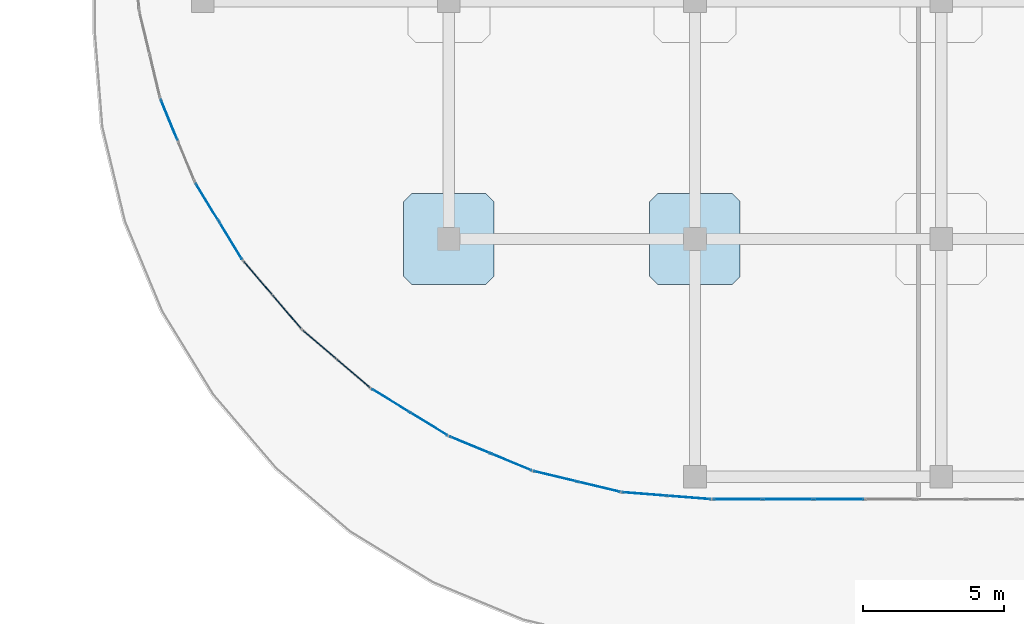
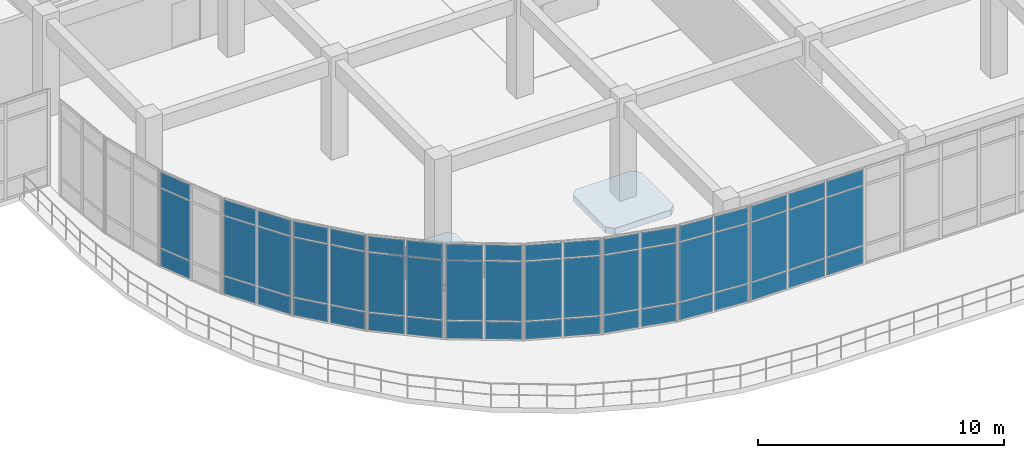
# One storey, part 67 of 96: 54 plates, 2 slabs, 9 elements without a shape of their own.
"""IFC4 building model written with IfcOpenShell, lengths in metres."""

from ifc_helpers import new_model, si_unit, derived_unit, direction, frame, origin, origin_2d, place, context, subcontext, project, spatial, polyline, rectangle, outline, extrude, material, layer, layer_set, type_object, element, aggregate, save


model = new_model("IFC4")

# Units and contexts
model_context = context("Model", 3, precision=1e-05, world=origin(), true_north=direction((0.0, 1.0)))
body_context = subcontext(model_context, "Body", "Model", "MODEL_VIEW")
ifc_project = project(units=[si_unit("LENGTHUNIT", "METRE"), si_unit("AREAUNIT", "SQUARE_METRE"), si_unit("VOLUMEUNIT", "CUBIC_METRE"), si_unit("PLANEANGLEUNIT", "RADIAN"), si_unit("MASSUNIT", "GRAM", prefix="KILO"), derived_unit("THERMALTRANSMITTANCEUNIT", [(si_unit("MASSUNIT", "GRAM", prefix="KILO"), 1), (si_unit("TIMEUNIT", "SECOND"), -3), (si_unit("THERMODYNAMICTEMPERATUREUNIT", "KELVIN"), -1)])], contexts=[model_context])

# Site, building, storey
site_placement = place(None, origin())
site = spatial("IfcSite", under=ifc_project, at=site_placement, CompositionType="ELEMENT")
building_placement = place(site_placement, origin())
building = spatial("IfcBuilding", under=site, at=building_placement, Name="Qinzheling Arcade Emporium", CompositionType="ELEMENT")
storey_placement = place(building_placement, frame((0.0, 0.0, 21.60009765625)))
storey = spatial("IfcBuildingStorey", under=building, at=storey_placement, Name="L05", CompositionType="ELEMENT", Elevation=21.60009765625)

# Slabs
ifc_material_1 = material(Name="Concrete C40", Category="concrete")
ifc_layer_1 = layer(ifc_material_1, 0.300048828125, Name="Concrete C40", Category="concrete")
ifc_layer_set_1 = layer_set([ifc_layer_1], Name="Concrete C40")
slab_type = type_object("IfcSlabType", Name="Column Head Drop Panel 3200x3200x300 C40", PredefinedType="USERDEFINED", material=ifc_layer_set_1)
slab_1_placement = place(storey_placement, frame((0.0, 0.0, -0.580078125)))
element("IfcSlab", 1, at=slab_1_placement, inside=storey, type_object=slab_type, Name="Column Drop Panel DP-L05-3-C", ObjectType="DROP_PANEL", PredefinedType="USERDEFINED", context=body_context, shape_type="SweptSolid", body=[
    extrude(outline(polyline([(16.080078125, 15.199951171875), (18.719970703125, 15.199951171875), (19.0, 15.47998046875), (19.0, 18.1201171875), (18.719970703125, 18.39990234375), (16.080078125, 18.39990234375), (15.800048828125, 18.1201171875), (15.800048828125, 15.47998046875), (16.080078125, 15.199951171875)])), origin(), (0.0, 0.0, 1.0), 0.300048828125),
])
slab_2_placement = place(storey_placement, frame((0.0, 0.0, -0.580078125)))
element("IfcSlab", 2, at=slab_2_placement, inside=storey, type_object=slab_type, Name="Column Drop Panel DP-L05-4-C", ObjectType="DROP_PANEL", PredefinedType="USERDEFINED", context=body_context, shape_type="SweptSolid", body=[
    extrude(outline(polyline([(24.780029296875, 15.199951171875), (27.419921875, 15.199951171875), (27.699951171875, 15.47998046875), (27.699951171875, 18.1201171875), (27.419921875, 18.39990234375), (24.780029296875, 18.39990234375), (24.5, 18.1201171875), (24.5, 15.47998046875), (24.780029296875, 15.199951171875)])), origin(), (0.0, 0.0, 1.0), 0.300048828125),
])

# Curtain wall, plates
ifc_material_2 = material(Name="Anodised aluminium and solar-control double glazing", Category="aluminium")
ifc_layer_2 = layer(ifc_material_2, 0.159912109375, Name="Anodised aluminium and solar-control double glazing", Category="aluminium")
ifc_layer_set_2 = layer_set([ifc_layer_2], Name="Anodised aluminium and solar-control double glazing")
curtain_wall_type_1 = type_object("IfcCurtainWallType", Name="Arcade Portal Glazed Curtain Wall", PredefinedType="NOTDEFINED", material=ifc_layer_set_2)
curtain_wall_1_placement = place(storey_placement, origin())
curtain_wall_1 = element("IfcCurtainWall", 3, at=curtain_wall_1_placement, inside=storey, type_object=curtain_wall_type_1, Name="Curtain Wall CW-L05-301", PredefinedType="NOTDEFINED")
ifc_material_3 = material(Name="Laminated solar-control double glazing", Category="glass")
ifc_layer_3 = layer(ifc_material_3, 0.02197265625, Name="Laminated solar-control double glazing", Category="glass")
ifc_layer_set_3 = layer_set([ifc_layer_3], Name="Laminated solar-control double glazing")
plate_type_1 = type_object("IfcPlateType", Name="Low-E Double Glazed Curtain Panel 22mm", PredefinedType="CURTAIN_PANEL", material=ifc_layer_set_3)
plate_1_placement = place(storey_placement, frame((31.186279296875, 7.60009765625, 0.06005859375), z_axis=(0.0, 0.0, 1.0), x_axis=(-1.0, 0.0, 0.0)))
plate_1 = element("IfcPlate", 4, at=plate_1_placement, type_object=plate_type_1, Name="CW05 panel 2.1", PredefinedType="CURTAIN_PANEL", context=body_context, shape_type="SweptSolid", body=[
    extrude(rectangle(XDim=1.734619140625, YDim=0.02197265625, at=origin_2d()), origin(), (0.0, 0.0, 1.0), 0.860107421875),
])
plate_2_placement = place(storey_placement, frame((31.186279296875, 7.60009765625, 0.97998046875), z_axis=(0.0, 0.0, 1.0), x_axis=(-1.0, 0.0, 0.0)))
plate_2 = element("IfcPlate", 5, at=plate_2_placement, type_object=plate_type_1, Name="CW05 panel 2.2", PredefinedType="CURTAIN_PANEL", context=body_context, shape_type="SweptSolid", body=[
    extrude(rectangle(XDim=1.734619140625, YDim=0.02197265625, at=origin_2d()), origin(), (0.0, 0.0, 1.0), 2.929931640625),
])
plate_3_placement = place(storey_placement, frame((31.186279296875, 7.60009765625, 3.9697265625), z_axis=(0.0, 0.0, 1.0), x_axis=(-1.0, 0.0, 0.0)))
plate_3 = element("IfcPlate", 6, at=plate_3_placement, type_object=plate_type_1, Name="CW05 panel 2.3", PredefinedType="CURTAIN_PANEL", context=body_context, shape_type="SweptSolid", body=[
    extrude(rectangle(XDim=1.734619140625, YDim=0.02197265625, at=origin_2d()), origin(), (0.0, 0.0, 1.0), 0.760009765625),
])
plate_4_placement = place(storey_placement, frame((29.391845703125, 7.60009765625, 0.06005859375), z_axis=(0.0, 0.0, 1.0), x_axis=(-1.0, 0.0, 0.0)))
plate_4 = element("IfcPlate", 7, at=plate_4_placement, type_object=plate_type_1, Name="CW05 panel 3.1", PredefinedType="CURTAIN_PANEL", context=body_context, shape_type="SweptSolid", body=[
    extrude(rectangle(XDim=1.734619140625, YDim=0.02197265625, at=origin_2d()), origin(), (0.0, 0.0, 1.0), 0.860107421875),
])
plate_5_placement = place(storey_placement, frame((29.391845703125, 7.60009765625, 0.97998046875), z_axis=(0.0, 0.0, 1.0), x_axis=(-1.0, 0.0, 0.0)))
plate_5 = element("IfcPlate", 8, at=plate_5_placement, type_object=plate_type_1, Name="CW05 panel 3.2", PredefinedType="CURTAIN_PANEL", context=body_context, shape_type="SweptSolid", body=[
    extrude(rectangle(XDim=1.734619140625, YDim=0.02197265625, at=origin_2d()), origin(), (0.0, 0.0, 1.0), 2.929931640625),
])
plate_6_placement = place(storey_placement, frame((29.391845703125, 7.60009765625, 3.9697265625), z_axis=(0.0, 0.0, 1.0), x_axis=(-1.0, 0.0, 0.0)))
plate_6 = element("IfcPlate", 9, at=plate_6_placement, type_object=plate_type_1, Name="CW05 panel 3.3", PredefinedType="CURTAIN_PANEL", context=body_context, shape_type="SweptSolid", body=[
    extrude(rectangle(XDim=1.734619140625, YDim=0.02197265625, at=origin_2d()), origin(), (0.0, 0.0, 1.0), 0.760009765625),
])
plate_7_placement = place(storey_placement, frame((27.6123046875, 7.60009765625, 0.06005859375), z_axis=(0.0, 0.0, 1.0), x_axis=(-1.0, 0.0, 0.0)))
plate_7 = element("IfcPlate", 10, at=plate_7_placement, type_object=plate_type_1, Name="CW05 panel 4.1", PredefinedType="CURTAIN_PANEL", context=body_context, shape_type="SweptSolid", body=[
    extrude(rectangle(XDim=1.70458984375, YDim=0.02197265625, at=origin_2d()), origin(), (0.0, 0.0, 1.0), 0.860107421875),
])
plate_8_placement = place(storey_placement, frame((27.6123046875, 7.60009765625, 0.97998046875), z_axis=(0.0, 0.0, 1.0), x_axis=(-1.0, 0.0, 0.0)))
plate_8 = element("IfcPlate", 11, at=plate_8_placement, type_object=plate_type_1, Name="CW05 panel 4.2", PredefinedType="CURTAIN_PANEL", context=body_context, shape_type="SweptSolid", body=[
    extrude(rectangle(XDim=1.70458984375, YDim=0.02197265625, at=origin_2d()), origin(), (0.0, 0.0, 1.0), 2.929931640625),
])
plate_9_placement = place(storey_placement, frame((27.6123046875, 7.60009765625, 3.9697265625), z_axis=(0.0, 0.0, 1.0), x_axis=(-1.0, 0.0, 0.0)))
plate_9 = element("IfcPlate", 12, at=plate_9_placement, type_object=plate_type_1, Name="CW05 panel 4.3", PredefinedType="CURTAIN_PANEL", context=body_context, shape_type="SweptSolid", body=[
    extrude(rectangle(XDim=1.70458984375, YDim=0.02197265625, at=origin_2d()), origin(), (0.0, 0.0, 1.0), 0.760009765625),
])
aggregate(curtain_wall_1, [plate_1, plate_2, plate_3, plate_4, plate_5, plate_6, plate_7, plate_8, plate_9])

ifc_layer_4 = layer(ifc_material_2, 0.159912109375, Name="Anodised aluminium and solar-control double glazing", Category="aluminium")
ifc_layer_set_4 = layer_set([ifc_layer_4], Name="Anodised aluminium and solar-control double glazing")
curtain_wall_type_2 = type_object("IfcCurtainWallType", Name="Curved Ribbon Sales Curtain Wall", PredefinedType="NOTDEFINED", material=ifc_layer_set_4)
curtain_wall_2_placement = place(storey_placement, origin())
curtain_wall_2 = element("IfcCurtainWall", 13, at=curtain_wall_2_placement, inside=storey, type_object=curtain_wall_type_2, Name="Curtain Wall CW-L05-302", PredefinedType="NOTDEFINED")
ifc_layer_5 = layer(ifc_material_3, 0.02392578125, Name="Laminated solar-control double glazing", Category="glass")
ifc_layer_set_5 = layer_set([ifc_layer_5], Name="Laminated solar-control double glazing")
plate_type_2 = type_object("IfcPlateType", Name="Low-E Double Glazed Curtain Panel 24mm", PredefinedType="CURTAIN_PANEL", material=ifc_layer_set_5)
plate_10_placement = place(storey_placement, frame((25.88330078125, 7.6640625, 0.06005859375), z_axis=(0.0, 0.0, 1.0), x_axis=(-0.996926963876, 0.078336637005, 0.0)))
plate_10 = element("IfcPlate", 14, at=plate_10_placement, type_object=plate_type_2, Name="CW02 panel 1.1", PredefinedType="CURTAIN_PANEL", context=body_context, shape_type="SweptSolid", body=[
    extrude(rectangle(XDim=1.5185546875, YDim=0.02392578125, at=origin_2d()), origin(), (0.0, 0.0, 1.0), 0.860107421875),
])
plate_11_placement = place(storey_placement, frame((25.88330078125, 7.6640625, 0.97998046875), z_axis=(0.0, 0.0, 1.0), x_axis=(-0.996926963876, 0.078336637005, 0.0)))
plate_11 = element("IfcPlate", 15, at=plate_11_placement, type_object=plate_type_2, Name="CW02 panel 1.2", PredefinedType="CURTAIN_PANEL", context=body_context, shape_type="SweptSolid", body=[
    extrude(rectangle(XDim=1.5185546875, YDim=0.02392578125, at=origin_2d()), origin(), (0.0, 0.0, 1.0), 2.929931640625),
])
plate_12_placement = place(storey_placement, frame((25.88330078125, 7.6640625, 3.9697265625), z_axis=(0.0, 0.0, 1.0), x_axis=(-0.996926963876, 0.078336637005, 0.0)))
plate_12 = element("IfcPlate", 16, at=plate_12_placement, type_object=plate_type_2, Name="CW02 panel 1.3", PredefinedType="CURTAIN_PANEL", context=body_context, shape_type="SweptSolid", body=[
    extrude(rectangle(XDim=1.5185546875, YDim=0.02392578125, at=origin_2d()), origin(), (0.0, 0.0, 1.0), 0.760009765625),
])
plate_13_placement = place(storey_placement, frame((24.309814453125, 7.787841796875, 0.06005859375), z_axis=(0.0, 0.0, 1.0), x_axis=(-0.996926963876, 0.078336637005, 0.0)))
plate_13 = element("IfcPlate", 17, at=plate_13_placement, type_object=plate_type_2, Name="CW02 panel 2.1", PredefinedType="CURTAIN_PANEL", context=body_context, shape_type="SweptSolid", body=[
    extrude(rectangle(XDim=1.5185546875, YDim=0.02392578125, at=origin_2d()), origin(), (0.0, 0.0, 1.0), 0.860107421875),
])
plate_14_placement = place(storey_placement, frame((24.309814453125, 7.787841796875, 0.97998046875), z_axis=(0.0, 0.0, 1.0), x_axis=(-0.996926963876, 0.078336637005, 0.0)))
plate_14 = element("IfcPlate", 18, at=plate_14_placement, type_object=plate_type_2, Name="CW02 panel 2.2", PredefinedType="CURTAIN_PANEL", context=body_context, shape_type="SweptSolid", body=[
    extrude(rectangle(XDim=1.5185546875, YDim=0.02392578125, at=origin_2d()), origin(), (0.0, 0.0, 1.0), 2.929931640625),
])
plate_15_placement = place(storey_placement, frame((24.309814453125, 7.787841796875, 3.9697265625), z_axis=(0.0, 0.0, 1.0), x_axis=(-0.996926963876, 0.078336637005, 0.0)))
plate_15 = element("IfcPlate", 19, at=plate_15_placement, type_object=plate_type_2, Name="CW02 panel 2.3", PredefinedType="CURTAIN_PANEL", context=body_context, shape_type="SweptSolid", body=[
    extrude(rectangle(XDim=1.5185546875, YDim=0.02392578125, at=origin_2d()), origin(), (0.0, 0.0, 1.0), 0.760009765625),
])
aggregate(curtain_wall_2, [plate_10, plate_11, plate_12, plate_13, plate_14, plate_15])

curtain_wall_3_placement = place(storey_placement, origin())
curtain_wall_3 = element("IfcCurtainWall", 20, at=curtain_wall_3_placement, inside=storey, type_object=curtain_wall_type_2, Name="Curtain Wall CW-L05-303", PredefinedType="NOTDEFINED")
ifc_layer_6 = layer(ifc_material_3, 0.02490234375, Name="Laminated solar-control double glazing", Category="glass")
ifc_layer_set_6 = layer_set([ifc_layer_6], Name="Laminated solar-control double glazing")
plate_type_3 = type_object("IfcPlateType", Name="Low-E Double Glazed Curtain Panel 25mm", PredefinedType="CURTAIN_PANEL", material=ifc_layer_set_6)
plate_16_placement = place(storey_placement, frame((22.696533203125, 8.043212890625, 0.06005859375), z_axis=(0.0, 0.0, 1.0), x_axis=(-0.972367546477, 0.233455251725, 0.0)))
plate_16 = element("IfcPlate", 21, at=plate_16_placement, type_object=plate_type_3, Name="CW02 panel 1.1", PredefinedType="CURTAIN_PANEL", context=body_context, shape_type="SweptSolid", body=[
    extrude(rectangle(XDim=1.5185546875, YDim=0.02490234375, at=origin_2d()), origin(), (0.0, 0.0, 1.0), 0.860107421875),
])
plate_17_placement = place(storey_placement, frame((22.696533203125, 8.043212890625, 0.97998046875), z_axis=(0.0, 0.0, 1.0), x_axis=(-0.972367546477, 0.233455251725, 0.0)))
plate_17 = element("IfcPlate", 22, at=plate_17_placement, type_object=plate_type_3, Name="CW02 panel 1.2", PredefinedType="CURTAIN_PANEL", context=body_context, shape_type="SweptSolid", body=[
    extrude(rectangle(XDim=1.5185546875, YDim=0.02490234375, at=origin_2d()), origin(), (0.0, 0.0, 1.0), 2.929931640625),
])
plate_18_placement = place(storey_placement, frame((22.696533203125, 8.043212890625, 3.9697265625), z_axis=(0.0, 0.0, 1.0), x_axis=(-0.972367546477, 0.233455251725, 0.0)))
plate_18 = element("IfcPlate", 23, at=plate_18_placement, type_object=plate_type_3, Name="CW02 panel 1.3", PredefinedType="CURTAIN_PANEL", context=body_context, shape_type="SweptSolid", body=[
    extrude(rectangle(XDim=1.5185546875, YDim=0.02490234375, at=origin_2d()), origin(), (0.0, 0.0, 1.0), 0.760009765625),
])
plate_19_placement = place(storey_placement, frame((21.16162109375, 8.411865234375, 0.06005859375), z_axis=(0.0, 0.0, 1.0), x_axis=(-0.972367546477, 0.233455251725, 0.0)))
plate_19 = element("IfcPlate", 24, at=plate_19_placement, type_object=plate_type_3, Name="CW02 panel 2.1", PredefinedType="CURTAIN_PANEL", context=body_context, shape_type="SweptSolid", body=[
    extrude(rectangle(XDim=1.5185546875, YDim=0.02490234375, at=origin_2d()), origin(), (0.0, 0.0, 1.0), 0.860107421875),
])
plate_20_placement = place(storey_placement, frame((21.16162109375, 8.411865234375, 0.97998046875), z_axis=(0.0, 0.0, 1.0), x_axis=(-0.972367546477, 0.233455251725, 0.0)))
plate_20 = element("IfcPlate", 25, at=plate_20_placement, type_object=plate_type_3, Name="CW02 panel 2.2", PredefinedType="CURTAIN_PANEL", context=body_context, shape_type="SweptSolid", body=[
    extrude(rectangle(XDim=1.5185546875, YDim=0.02490234375, at=origin_2d()), origin(), (0.0, 0.0, 1.0), 2.929931640625),
])
plate_21_placement = place(storey_placement, frame((21.16162109375, 8.411865234375, 3.9697265625), z_axis=(0.0, 0.0, 1.0), x_axis=(-0.972367546477, 0.233455251725, 0.0)))
plate_21 = element("IfcPlate", 26, at=plate_21_placement, type_object=plate_type_3, Name="CW02 panel 2.3", PredefinedType="CURTAIN_PANEL", context=body_context, shape_type="SweptSolid", body=[
    extrude(rectangle(XDim=1.5185546875, YDim=0.02490234375, at=origin_2d()), origin(), (0.0, 0.0, 1.0), 0.760009765625),
])
aggregate(curtain_wall_3, [plate_16, plate_17, plate_18, plate_19, plate_20, plate_21])

curtain_wall_4_placement = place(storey_placement, origin())
curtain_wall_4 = element("IfcCurtainWall", 27, at=curtain_wall_4_placement, inside=storey, type_object=curtain_wall_type_2, Name="Curtain Wall CW-L05-304", PredefinedType="NOTDEFINED")
ifc_layer_7 = layer(ifc_material_3, 0.02587890625, Name="Laminated solar-control double glazing", Category="glass")
ifc_layer_set_7 = layer_set([ifc_layer_7], Name="Laminated solar-control double glazing")
plate_type_4 = type_object("IfcPlateType", Name="Low-E Double Glazed Curtain Panel 26mm", PredefinedType="CURTAIN_PANEL", material=ifc_layer_set_7)
plate_22_placement = place(storey_placement, frame((19.608154296875, 8.91650390625, 0.06005859375), z_axis=(0.0, 0.0, 1.0), x_axis=(-0.923884226263, 0.38267210045, 0.0)))
plate_22 = element("IfcPlate", 28, at=plate_22_placement, type_object=plate_type_4, Name="CW02 panel 1.1", PredefinedType="CURTAIN_PANEL", context=body_context, shape_type="SweptSolid", body=[
    extrude(rectangle(XDim=1.518310546875, YDim=0.02587890625, at=origin_2d()), origin(), (0.0, 0.0, 1.0), 0.860107421875),
])
plate_23_placement = place(storey_placement, frame((19.608154296875, 8.91650390625, 0.97998046875), z_axis=(0.0, 0.0, 1.0), x_axis=(-0.923884226263, 0.38267210045, 0.0)))
plate_23 = element("IfcPlate", 29, at=plate_23_placement, type_object=plate_type_4, Name="CW02 panel 1.2", PredefinedType="CURTAIN_PANEL", context=body_context, shape_type="SweptSolid", body=[
    extrude(rectangle(XDim=1.518310546875, YDim=0.02587890625, at=origin_2d()), origin(), (0.0, 0.0, 1.0), 2.929931640625),
])
plate_24_placement = place(storey_placement, frame((19.608154296875, 8.91650390625, 3.9697265625), z_axis=(0.0, 0.0, 1.0), x_axis=(-0.923884226263, 0.38267210045, 0.0)))
plate_24 = element("IfcPlate", 30, at=plate_24_placement, type_object=plate_type_4, Name="CW02 panel 1.3", PredefinedType="CURTAIN_PANEL", context=body_context, shape_type="SweptSolid", body=[
    extrude(rectangle(XDim=1.518310546875, YDim=0.02587890625, at=origin_2d()), origin(), (0.0, 0.0, 1.0), 0.760009765625),
])
plate_25_placement = place(storey_placement, frame((18.14990234375, 9.5205078125, 0.06005859375), z_axis=(0.0, 0.0, 1.0), x_axis=(-0.923884226263, 0.38267210045, 0.0)))
plate_25 = element("IfcPlate", 31, at=plate_25_placement, type_object=plate_type_4, Name="CW02 panel 2.1", PredefinedType="CURTAIN_PANEL", context=body_context, shape_type="SweptSolid", body=[
    extrude(rectangle(XDim=1.518310546875, YDim=0.02587890625, at=origin_2d()), origin(), (0.0, 0.0, 1.0), 0.860107421875),
])
plate_26_placement = place(storey_placement, frame((18.14990234375, 9.5205078125, 0.97998046875), z_axis=(0.0, 0.0, 1.0), x_axis=(-0.923884226263, 0.38267210045, 0.0)))
plate_26 = element("IfcPlate", 32, at=plate_26_placement, type_object=plate_type_4, Name="CW02 panel 2.2", PredefinedType="CURTAIN_PANEL", context=body_context, shape_type="SweptSolid", body=[
    extrude(rectangle(XDim=1.518310546875, YDim=0.02587890625, at=origin_2d()), origin(), (0.0, 0.0, 1.0), 2.929931640625),
])
plate_27_placement = place(storey_placement, frame((18.14990234375, 9.5205078125, 3.9697265625), z_axis=(0.0, 0.0, 1.0), x_axis=(-0.923884226263, 0.38267210045, 0.0)))
plate_27 = element("IfcPlate", 33, at=plate_27_placement, type_object=plate_type_4, Name="CW02 panel 2.3", PredefinedType="CURTAIN_PANEL", context=body_context, shape_type="SweptSolid", body=[
    extrude(rectangle(XDim=1.518310546875, YDim=0.02587890625, at=origin_2d()), origin(), (0.0, 0.0, 1.0), 0.760009765625),
])
aggregate(curtain_wall_4, [plate_22, plate_23, plate_24, plate_25, plate_26, plate_27])

curtain_wall_5_placement = place(storey_placement, origin())
curtain_wall_5 = element("IfcCurtainWall", 34, at=curtain_wall_5_placement, inside=storey, type_object=curtain_wall_type_2, Name="Curtain Wall CW-L05-305", PredefinedType="NOTDEFINED")
ifc_layer_8 = layer(ifc_material_3, 0.027099609375, Name="Laminated solar-control double glazing", Category="glass")
ifc_layer_set_8 = layer_set([ifc_layer_8], Name="Laminated solar-control double glazing")
plate_type_5 = type_object("IfcPlateType", Name="Low-E Double Glazed Curtain Panel 27mm", PredefinedType="CURTAIN_PANEL", material=ifc_layer_set_8)
plate_28_placement = place(storey_placement, frame((16.694580078125, 10.26220703125, 0.06005859375), z_axis=(0.0, 0.0, 1.0), x_axis=(-0.852628055756, 0.522518323638, 0.0)))
plate_28 = element("IfcPlate", 35, at=plate_28_placement, type_object=plate_type_5, Name="CW02 panel 1.1", PredefinedType="CURTAIN_PANEL", context=body_context, shape_type="SweptSolid", body=[
    extrude(rectangle(XDim=1.5185546875, YDim=0.027099609375, at=origin_2d()), origin(), (0.0, 0.0, 1.0), 0.860107421875),
])
plate_29_placement = place(storey_placement, frame((16.694580078125, 10.26220703125, 0.97998046875), z_axis=(0.0, 0.0, 1.0), x_axis=(-0.852628055756, 0.522518323638, 0.0)))
plate_29 = element("IfcPlate", 36, at=plate_29_placement, type_object=plate_type_5, Name="CW02 panel 1.2", PredefinedType="CURTAIN_PANEL", context=body_context, shape_type="SweptSolid", body=[
    extrude(rectangle(XDim=1.5185546875, YDim=0.027099609375, at=origin_2d()), origin(), (0.0, 0.0, 1.0), 2.929931640625),
])
plate_30_placement = place(storey_placement, frame((16.694580078125, 10.26220703125, 3.9697265625), z_axis=(0.0, 0.0, 1.0), x_axis=(-0.852628055756, 0.522518323638, 0.0)))
plate_30 = element("IfcPlate", 37, at=plate_30_placement, type_object=plate_type_5, Name="CW02 panel 1.3", PredefinedType="CURTAIN_PANEL", context=body_context, shape_type="SweptSolid", body=[
    extrude(rectangle(XDim=1.5185546875, YDim=0.027099609375, at=origin_2d()), origin(), (0.0, 0.0, 1.0), 0.760009765625),
])
plate_31_placement = place(storey_placement, frame((15.3486328125, 11.0869140625, 0.06005859375), z_axis=(0.0, 0.0, 1.0), x_axis=(-0.852628055756, 0.522518323638, 0.0)))
plate_31 = element("IfcPlate", 38, at=plate_31_placement, type_object=plate_type_5, Name="CW02 panel 2.1", PredefinedType="CURTAIN_PANEL", context=body_context, shape_type="SweptSolid", body=[
    extrude(rectangle(XDim=1.5185546875, YDim=0.027099609375, at=origin_2d()), origin(), (0.0, 0.0, 1.0), 0.860107421875),
])
plate_32_placement = place(storey_placement, frame((15.3486328125, 11.0869140625, 0.97998046875), z_axis=(0.0, 0.0, 1.0), x_axis=(-0.852628055756, 0.522518323638, 0.0)))
plate_32 = element("IfcPlate", 39, at=plate_32_placement, type_object=plate_type_5, Name="CW02 panel 2.2", PredefinedType="CURTAIN_PANEL", context=body_context, shape_type="SweptSolid", body=[
    extrude(rectangle(XDim=1.5185546875, YDim=0.027099609375, at=origin_2d()), origin(), (0.0, 0.0, 1.0), 2.929931640625),
])
plate_33_placement = place(storey_placement, frame((15.3486328125, 11.0869140625, 3.9697265625), z_axis=(0.0, 0.0, 1.0), x_axis=(-0.852628055756, 0.522518323638, 0.0)))
plate_33 = element("IfcPlate", 40, at=plate_33_placement, type_object=plate_type_5, Name="CW02 panel 2.3", PredefinedType="CURTAIN_PANEL", context=body_context, shape_type="SweptSolid", body=[
    extrude(rectangle(XDim=1.5185546875, YDim=0.027099609375, at=origin_2d()), origin(), (0.0, 0.0, 1.0), 0.760009765625),
])
aggregate(curtain_wall_5, [plate_28, plate_29, plate_30, plate_31, plate_32, plate_33])

curtain_wall_6_placement = place(storey_placement, origin())
curtain_wall_6 = element("IfcCurtainWall", 41, at=curtain_wall_6_placement, inside=storey, type_object=curtain_wall_type_2, Name="Curtain Wall CW-L05-306", PredefinedType="NOTDEFINED")
ifc_layer_9 = layer(ifc_material_3, 0.028076171875, Name="Laminated solar-control double glazing", Category="glass")
ifc_layer_set_9 = layer_set([ifc_layer_9], Name="Laminated solar-control double glazing")
plate_type_6 = type_object("IfcPlateType", Name="Low-E Double Glazed Curtain Panel 28mm", PredefinedType="CURTAIN_PANEL", material=ifc_layer_set_9)
plate_34_placement = place(storey_placement, frame((14.027099609375, 12.046875, 0.06005859375), z_axis=(0.0, 0.0, 1.0), x_axis=(-0.760418455945, 0.64943342373, 0.0)))
plate_34 = element("IfcPlate", 42, at=plate_34_placement, type_object=plate_type_6, Name="CW02 panel 1.1", PredefinedType="CURTAIN_PANEL", context=body_context, shape_type="SweptSolid", body=[
    extrude(rectangle(XDim=1.518310546875, YDim=0.028076171875, at=origin_2d()), origin(), (0.0, 0.0, 1.0), 0.860107421875),
])
plate_35_placement = place(storey_placement, frame((14.027099609375, 12.046875, 0.97998046875), z_axis=(0.0, 0.0, 1.0), x_axis=(-0.760418455945, 0.64943342373, 0.0)))
plate_35 = element("IfcPlate", 43, at=plate_35_placement, type_object=plate_type_6, Name="CW02 panel 1.2", PredefinedType="CURTAIN_PANEL", context=body_context, shape_type="SweptSolid", body=[
    extrude(rectangle(XDim=1.518310546875, YDim=0.028076171875, at=origin_2d()), origin(), (0.0, 0.0, 1.0), 2.929931640625),
])
plate_36_placement = place(storey_placement, frame((14.027099609375, 12.046875, 3.9697265625), z_axis=(0.0, 0.0, 1.0), x_axis=(-0.760418455945, 0.64943342373, 0.0)))
plate_36 = element("IfcPlate", 44, at=plate_36_placement, type_object=plate_type_6, Name="CW02 panel 1.3", PredefinedType="CURTAIN_PANEL", context=body_context, shape_type="SweptSolid", body=[
    extrude(rectangle(XDim=1.518310546875, YDim=0.028076171875, at=origin_2d()), origin(), (0.0, 0.0, 1.0), 0.760009765625),
])
plate_37_placement = place(storey_placement, frame((12.826904296875, 13.072021484375, 0.06005859375), z_axis=(0.0, 0.0, 1.0), x_axis=(-0.760418455945, 0.64943342373, 0.0)))
plate_37 = element("IfcPlate", 45, at=plate_37_placement, type_object=plate_type_6, Name="CW02 panel 2.1", PredefinedType="CURTAIN_PANEL", context=body_context, shape_type="SweptSolid", body=[
    extrude(rectangle(XDim=1.518310546875, YDim=0.028076171875, at=origin_2d()), origin(), (0.0, 0.0, 1.0), 0.860107421875),
])
plate_38_placement = place(storey_placement, frame((12.826904296875, 13.072021484375, 0.97998046875), z_axis=(0.0, 0.0, 1.0), x_axis=(-0.760418455945, 0.64943342373, 0.0)))
plate_38 = element("IfcPlate", 46, at=plate_38_placement, type_object=plate_type_6, Name="CW02 panel 2.2", PredefinedType="CURTAIN_PANEL", context=body_context, shape_type="SweptSolid", body=[
    extrude(rectangle(XDim=1.518310546875, YDim=0.028076171875, at=origin_2d()), origin(), (0.0, 0.0, 1.0), 2.929931640625),
])
plate_39_placement = place(storey_placement, frame((12.826904296875, 13.072021484375, 3.9697265625), z_axis=(0.0, 0.0, 1.0), x_axis=(-0.760418455945, 0.64943342373, 0.0)))
plate_39 = element("IfcPlate", 47, at=plate_39_placement, type_object=plate_type_6, Name="CW02 panel 2.3", PredefinedType="CURTAIN_PANEL", context=body_context, shape_type="SweptSolid", body=[
    extrude(rectangle(XDim=1.518310546875, YDim=0.028076171875, at=origin_2d()), origin(), (0.0, 0.0, 1.0), 0.760009765625),
])
aggregate(curtain_wall_6, [plate_34, plate_35, plate_36, plate_37, plate_38, plate_39])

curtain_wall_7_placement = place(storey_placement, origin())
curtain_wall_7 = element("IfcCurtainWall", 48, at=curtain_wall_7_placement, inside=storey, type_object=curtain_wall_type_2, Name="Curtain Wall CW-L05-307", PredefinedType="NOTDEFINED")
ifc_layer_10 = layer(ifc_material_3, 0.029052734375, Name="Laminated solar-control double glazing", Category="glass")
ifc_layer_set_10 = layer_set([ifc_layer_10], Name="Laminated solar-control double glazing")
plate_type_7 = type_object("IfcPlateType", Name="Low-E Double Glazed Curtain Panel 29mm", PredefinedType="CURTAIN_PANEL", material=ifc_layer_set_10)
plate_40_placement = place(storey_placement, frame((11.672119140625, 14.226806640625, 0.06005859375), z_axis=(0.0, 0.0, 1.0), x_axis=(-0.64943342373, 0.760418455945, 0.0)))
plate_40 = element("IfcPlate", 49, at=plate_40_placement, type_object=plate_type_7, Name="CW02 panel 1.1", PredefinedType="CURTAIN_PANEL", context=body_context, shape_type="SweptSolid", body=[
    extrude(rectangle(XDim=1.518310546875, YDim=0.029052734375, at=origin_2d()), origin(), (0.0, 0.0, 1.0), 0.860107421875),
])
plate_41_placement = place(storey_placement, frame((11.672119140625, 14.226806640625, 0.97998046875), z_axis=(0.0, 0.0, 1.0), x_axis=(-0.64943342373, 0.760418455945, 0.0)))
plate_41 = element("IfcPlate", 50, at=plate_41_placement, type_object=plate_type_7, Name="CW02 panel 1.2", PredefinedType="CURTAIN_PANEL", context=body_context, shape_type="SweptSolid", body=[
    extrude(rectangle(XDim=1.518310546875, YDim=0.029052734375, at=origin_2d()), origin(), (0.0, 0.0, 1.0), 2.929931640625),
])
plate_42_placement = place(storey_placement, frame((11.672119140625, 14.226806640625, 3.9697265625), z_axis=(0.0, 0.0, 1.0), x_axis=(-0.64943342373, 0.760418455945, 0.0)))
plate_42 = element("IfcPlate", 51, at=plate_42_placement, type_object=plate_type_7, Name="CW02 panel 1.3", PredefinedType="CURTAIN_PANEL", context=body_context, shape_type="SweptSolid", body=[
    extrude(rectangle(XDim=1.518310546875, YDim=0.029052734375, at=origin_2d()), origin(), (0.0, 0.0, 1.0), 0.760009765625),
])
plate_43_placement = place(storey_placement, frame((10.64697265625, 15.427001953125, 0.06005859375), z_axis=(0.0, 0.0, 1.0), x_axis=(-0.64943342373, 0.760418455945, 0.0)))
plate_43 = element("IfcPlate", 52, at=plate_43_placement, type_object=plate_type_7, Name="CW02 panel 2.1", PredefinedType="CURTAIN_PANEL", context=body_context, shape_type="SweptSolid", body=[
    extrude(rectangle(XDim=1.518310546875, YDim=0.029052734375, at=origin_2d()), origin(), (0.0, 0.0, 1.0), 0.860107421875),
])
plate_44_placement = place(storey_placement, frame((10.64697265625, 15.427001953125, 0.97998046875), z_axis=(0.0, 0.0, 1.0), x_axis=(-0.64943342373, 0.760418455945, 0.0)))
plate_44 = element("IfcPlate", 53, at=plate_44_placement, type_object=plate_type_7, Name="CW02 panel 2.2", PredefinedType="CURTAIN_PANEL", context=body_context, shape_type="SweptSolid", body=[
    extrude(rectangle(XDim=1.518310546875, YDim=0.029052734375, at=origin_2d()), origin(), (0.0, 0.0, 1.0), 2.929931640625),
])
plate_45_placement = place(storey_placement, frame((10.64697265625, 15.427001953125, 3.9697265625), z_axis=(0.0, 0.0, 1.0), x_axis=(-0.64943342373, 0.760418455945, 0.0)))
plate_45 = element("IfcPlate", 54, at=plate_45_placement, type_object=plate_type_7, Name="CW02 panel 2.3", PredefinedType="CURTAIN_PANEL", context=body_context, shape_type="SweptSolid", body=[
    extrude(rectangle(XDim=1.518310546875, YDim=0.029052734375, at=origin_2d()), origin(), (0.0, 0.0, 1.0), 0.760009765625),
])
aggregate(curtain_wall_7, [plate_40, plate_41, plate_42, plate_43, plate_44, plate_45])

curtain_wall_8_placement = place(storey_placement, origin())
curtain_wall_8 = element("IfcCurtainWall", 55, at=curtain_wall_8_placement, inside=storey, type_object=curtain_wall_type_2, Name="Curtain Wall CW-L05-308", PredefinedType="NOTDEFINED")
ifc_layer_11 = layer(ifc_material_3, 0.030029296875, Name="Laminated solar-control double glazing", Category="glass")
ifc_layer_set_11 = layer_set([ifc_layer_11], Name="Laminated solar-control double glazing")
plate_type_8 = type_object("IfcPlateType", Name="Low-E Double Glazed Curtain Panel 30mm", PredefinedType="CURTAIN_PANEL", material=ifc_layer_set_11)
plate_46_placement = place(storey_placement, frame((9.68701171875, 16.74853515625, 0.06005859375), z_axis=(0.0, 0.0, 1.0), x_axis=(-0.522518323638, 0.852628055756, 0.0)))
plate_46 = element("IfcPlate", 56, at=plate_46_placement, type_object=plate_type_8, Name="CW02 panel 1.1", PredefinedType="CURTAIN_PANEL", context=body_context, shape_type="SweptSolid", body=[
    extrude(rectangle(XDim=1.5185546875, YDim=0.030029296875, at=origin_2d()), origin(), (0.0, 0.0, 1.0), 0.860107421875),
])
plate_47_placement = place(storey_placement, frame((9.68701171875, 16.74853515625, 0.97998046875), z_axis=(0.0, 0.0, 1.0), x_axis=(-0.522518323638, 0.852628055756, 0.0)))
plate_47 = element("IfcPlate", 57, at=plate_47_placement, type_object=plate_type_8, Name="CW02 panel 1.2", PredefinedType="CURTAIN_PANEL", context=body_context, shape_type="SweptSolid", body=[
    extrude(rectangle(XDim=1.5185546875, YDim=0.030029296875, at=origin_2d()), origin(), (0.0, 0.0, 1.0), 2.929931640625),
])
plate_48_placement = place(storey_placement, frame((9.68701171875, 16.74853515625, 3.9697265625), z_axis=(0.0, 0.0, 1.0), x_axis=(-0.522518323638, 0.852628055756, 0.0)))
plate_48 = element("IfcPlate", 58, at=plate_48_placement, type_object=plate_type_8, Name="CW02 panel 1.3", PredefinedType="CURTAIN_PANEL", context=body_context, shape_type="SweptSolid", body=[
    extrude(rectangle(XDim=1.5185546875, YDim=0.030029296875, at=origin_2d()), origin(), (0.0, 0.0, 1.0), 0.760009765625),
])
plate_49_placement = place(storey_placement, frame((8.862060546875, 18.094482421875, 0.06005859375), z_axis=(0.0, 0.0, 1.0), x_axis=(-0.522518323638, 0.852628055756, 0.0)))
plate_49 = element("IfcPlate", 59, at=plate_49_placement, type_object=plate_type_8, Name="CW02 panel 2.1", PredefinedType="CURTAIN_PANEL", context=body_context, shape_type="SweptSolid", body=[
    extrude(rectangle(XDim=1.5185546875, YDim=0.030029296875, at=origin_2d()), origin(), (0.0, 0.0, 1.0), 0.860107421875),
])
plate_50_placement = place(storey_placement, frame((8.862060546875, 18.094482421875, 0.97998046875), z_axis=(0.0, 0.0, 1.0), x_axis=(-0.522518323638, 0.852628055756, 0.0)))
plate_50 = element("IfcPlate", 60, at=plate_50_placement, type_object=plate_type_8, Name="CW02 panel 2.2", PredefinedType="CURTAIN_PANEL", context=body_context, shape_type="SweptSolid", body=[
    extrude(rectangle(XDim=1.5185546875, YDim=0.030029296875, at=origin_2d()), origin(), (0.0, 0.0, 1.0), 2.929931640625),
])
plate_51_placement = place(storey_placement, frame((8.862060546875, 18.094482421875, 3.9697265625), z_axis=(0.0, 0.0, 1.0), x_axis=(-0.522518323638, 0.852628055756, 0.0)))
plate_51 = element("IfcPlate", 61, at=plate_51_placement, type_object=plate_type_8, Name="CW02 panel 2.3", PredefinedType="CURTAIN_PANEL", context=body_context, shape_type="SweptSolid", body=[
    extrude(rectangle(XDim=1.5185546875, YDim=0.030029296875, at=origin_2d()), origin(), (0.0, 0.0, 1.0), 0.760009765625),
])
aggregate(curtain_wall_8, [plate_46, plate_47, plate_48, plate_49, plate_50, plate_51])

curtain_wall_9_placement = place(storey_placement, origin())
curtain_wall_9 = element("IfcCurtainWall", 62, at=curtain_wall_9_placement, inside=storey, type_object=curtain_wall_type_2, Name="Curtain Wall CW-L05-309", PredefinedType="NOTDEFINED")
ifc_layer_12 = layer(ifc_material_3, 0.031005859375, Name="Laminated solar-control double glazing", Category="glass")
ifc_layer_set_12 = layer_set([ifc_layer_12], Name="Laminated solar-control double glazing")
plate_type_9 = type_object("IfcPlateType", Name="Low-E Double Glazed Curtain Panel 31mm", PredefinedType="CURTAIN_PANEL", material=ifc_layer_set_12)
plate_52_placement = place(storey_placement, frame((7.5166015625, 21.008056640625, 0.06005859375), z_axis=(0.0, 0.0, 1.0), x_axis=(-0.38267210045, 0.923884226263, 0.0)))
plate_52 = element("IfcPlate", 63, at=plate_52_placement, type_object=plate_type_9, Name="CW02 panel 2.1", PredefinedType="CURTAIN_PANEL", context=body_context, shape_type="SweptSolid", body=[
    extrude(rectangle(XDim=1.518310546875, YDim=0.031005859375, at=origin_2d()), origin(), (0.0, 0.0, 1.0), 0.860107421875),
])
plate_53_placement = place(storey_placement, frame((7.5166015625, 21.008056640625, 0.97998046875), z_axis=(0.0, 0.0, 1.0), x_axis=(-0.38267210045, 0.923884226263, 0.0)))
plate_53 = element("IfcPlate", 64, at=plate_53_placement, type_object=plate_type_9, Name="CW02 panel 2.2", PredefinedType="CURTAIN_PANEL", context=body_context, shape_type="SweptSolid", body=[
    extrude(rectangle(XDim=1.518310546875, YDim=0.031005859375, at=origin_2d()), origin(), (0.0, 0.0, 1.0), 2.929931640625),
])
plate_54_placement = place(storey_placement, frame((7.5166015625, 21.008056640625, 3.9697265625), z_axis=(0.0, 0.0, 1.0), x_axis=(-0.38267210045, 0.923884226263, 0.0)))
plate_54 = element("IfcPlate", 65, at=plate_54_placement, type_object=plate_type_9, Name="CW02 panel 2.3", PredefinedType="CURTAIN_PANEL", context=body_context, shape_type="SweptSolid", body=[
    extrude(rectangle(XDim=1.518310546875, YDim=0.031005859375, at=origin_2d()), origin(), (0.0, 0.0, 1.0), 0.760009765625),
])
aggregate(curtain_wall_9, [plate_52, plate_53, plate_54])

save(model, "model.ifc")
